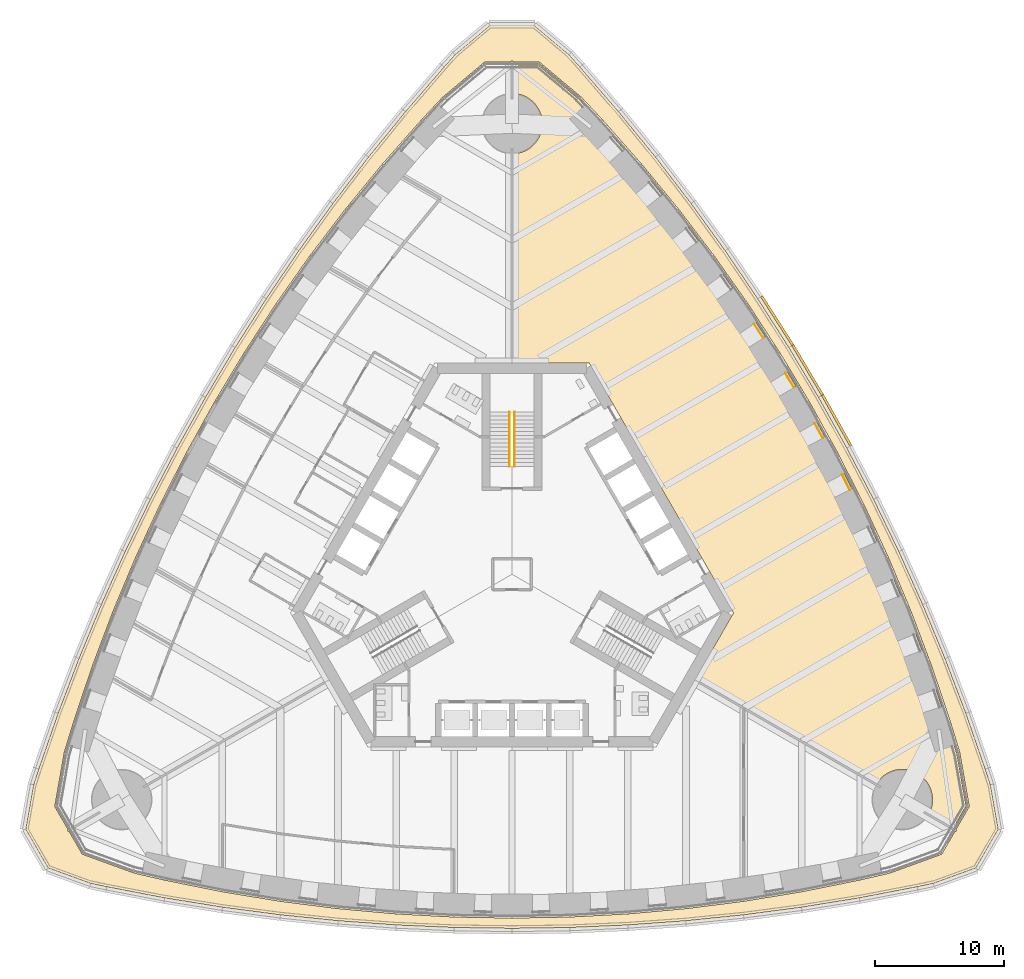
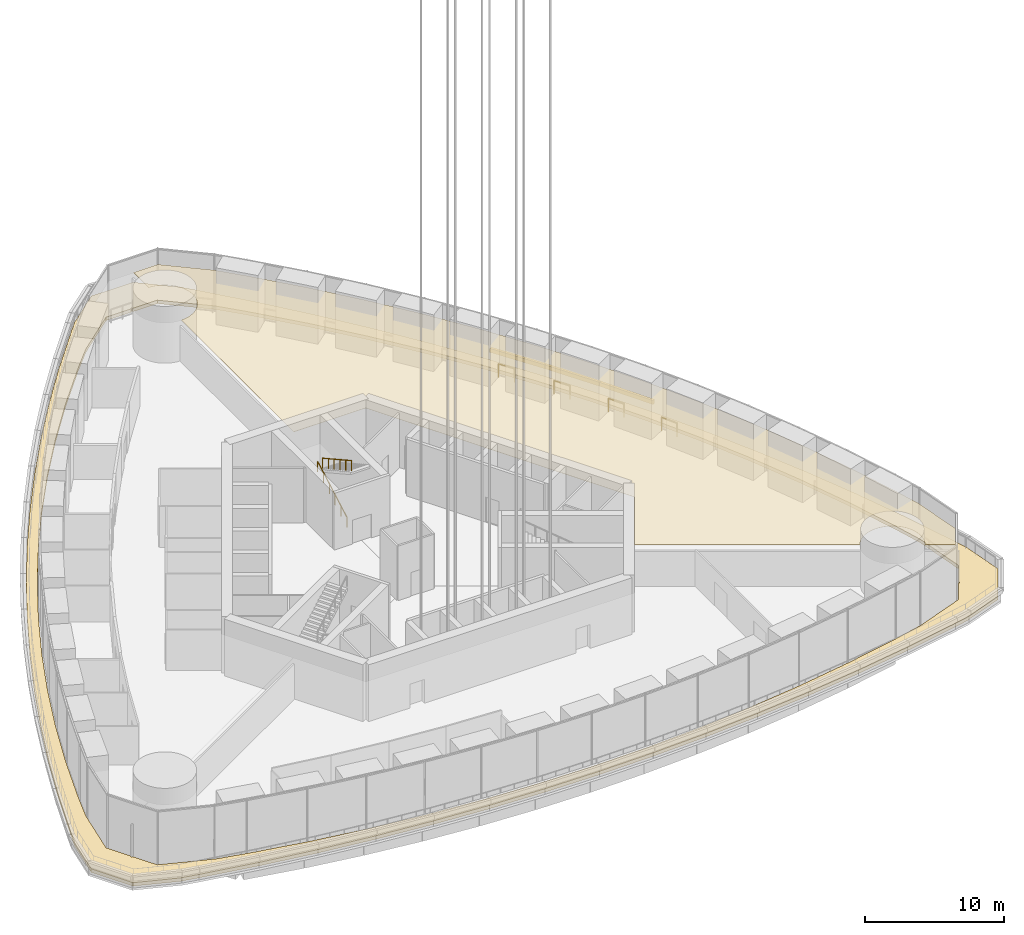
# One storey, part 22 of 33: 6 railings, 5 coverings.
"""IFC4 building model written with IfcOpenShell, lengths in metres."""

import ifcopenshell
import ifcopenshell.guid

model = None  # the IFC model being written
_history = None  # IfcOwnerHistory: only IFC2X3 demands one
_inside = {}  # id of a spatial element -> (the spatial element, [elements in it])
_under = {}  # id of a project, library or spatial element -> (it, [spatial elements below it])
_declared = {}  # id of a project -> (the project, [libraries it declares])
_typed = {}  # id of a type object -> (the type object, [elements of that type])
_made_of = {}  # id of a material, layer set ... -> (it, [elements and type objects made of it])


def new_model(schema):
    """Start an empty IFC model of exactly this schema.

    Asked for "IFC4X3", IfcOpenShell would pick the latest addendum, in which some entities
    have other attributes; the version numbers below select the first issue.
    IFC2X3 requires an IfcOwnerHistory on every rooted entity: one is made here for all.
    """
    global model, _history
    if schema == "IFC4X3":
        model = ifcopenshell.file(schema_version=(4, 3, 0, 0))
    else:
        model = ifcopenshell.file(schema=schema)
    _inside.clear()
    _under.clear()
    _declared.clear()
    _typed.clear()
    _made_of.clear()
    _history = None
    if model.schema == "IFC2X3":
        org = make("IfcOrganization", Name="unknown")
        user = make(
            "IfcPersonAndOrganization",
            ThePerson=make("IfcPerson", FamilyName="unknown"),
            TheOrganization=org,
        )
        app = make(
            "IfcApplication",
            ApplicationDeveloper=org,
            Version="unknown",
            ApplicationFullName="unknown",
            ApplicationIdentifier="unknown",
        )
        _history = make(
            "IfcOwnerHistory",
            OwningUser=user,
            OwningApplication=app,
            ChangeAction="ADDED",
            CreationDate=0,
        )
    return model


def make(cls, **values):
    """One entity of the class cls with the attributes given. An attribute that is None is left unset."""
    return model.create_entity(
        cls, **{name: value for name, value in values.items() if value is not None}
    )


def rooted(cls, **values):
    """An entity with a GlobalId (a new one), such as an element, a storey or a relation."""
    return make(cls, GlobalId=ifcopenshell.guid.new(), OwnerHistory=_history, **values)


def si_unit(unit_type, name, prefix=None):
    """IfcSIUnit, for example si_unit("LENGTHUNIT", "METRE", prefix="MILLI")."""
    return make("IfcSIUnit", UnitType=unit_type, Prefix=prefix, Name=name)


def assignment(units):
    """IfcUnitAssignment: the units of a project."""
    return None if units is None else make("IfcUnitAssignment", Units=units)


def point(xyz):
    """IfcCartesianPoint."""
    return None if xyz is None else make("IfcCartesianPoint", Coordinates=xyz)


def direction(xyz):
    """IfcDirection."""
    return None if xyz is None else make("IfcDirection", DirectionRatios=xyz)


def frame(location, z_axis=None, x_axis=None):
    """IfcAxis2Placement3D, a coordinate frame: its origin and axes. An axis left out is left unset."""
    return make(
        "IfcAxis2Placement3D",
        Location=point(location),
        Axis=direction(z_axis),
        RefDirection=direction(x_axis),
    )


def frame_2d(location, x_axis=None):
    """IfcAxis2Placement2D, a coordinate frame in the plane: its origin and x axis."""
    return make(
        "IfcAxis2Placement2D", Location=point(location), RefDirection=direction(x_axis)
    )


def origin():
    """The frame at (0, 0, 0) with its axes left unset."""
    return frame((0.0, 0.0, 0.0))


def origin_2d():
    """The frame at (0, 0) in the plane with its x axis left unset."""
    return frame_2d((0.0, 0.0))


def place(relative_to, where):
    """IfcLocalPlacement: puts the frame where relative to a parent placement (None: the world)."""
    return make(
        "IfcLocalPlacement", PlacementRelTo=relative_to, RelativePlacement=where
    )


def context(
    kind, dimensions, precision=None, world=None, true_north=None, identifier=None
):
    """IfcGeometricRepresentationContext, for example the 3D "Model" context."""
    return make(
        "IfcGeometricRepresentationContext",
        ContextIdentifier=identifier,
        ContextType=kind,
        CoordinateSpaceDimension=dimensions,
        Precision=precision,
        WorldCoordinateSystem=world,
        TrueNorth=true_north,
    )


def subcontext(parent, identifier, kind, view, scale=None):
    """IfcGeometricRepresentationSubContext, for example "Body" below "Model"."""
    return make(
        "IfcGeometricRepresentationSubContext",
        ContextIdentifier=identifier,
        ContextType=kind,
        ParentContext=parent,
        TargetScale=scale,
        TargetView=view,
    )


def project(units=None, contexts=None):
    """IfcProject with its units and contexts."""
    return rooted(
        "IfcProject",
        Name="project",
        RepresentationContexts=contexts,
        UnitsInContext=assignment(units),
    )


def spatial(cls, under=None, at=None, **own):
    """A site, building, storey or space (cls), placed at a placement, below another one or the project."""
    s = rooted(cls, ObjectPlacement=at, **own)
    if under is not None:
        _under.setdefault(under.id(), (under, []))[1].append(s)
    return s


def polyline(points):
    """IfcPolyline through the points."""
    return make("IfcPolyline", Points=[point(p) for p in points])


def profile(cls, at=None, kind="AREA", **sizes):
    """A parametric profile (cls). Its sizes go by their IFC names, for example OverallWidth=200.0."""
    return make(cls, ProfileType=kind, Position=at, **sizes)


def rectangle(**sizes):
    """IfcRectangleProfileDef."""
    return profile("IfcRectangleProfileDef", **sizes)


def circle(**sizes):
    """IfcCircleProfileDef."""
    return profile("IfcCircleProfileDef", **sizes)


def outline(outer, holes=None, kind="AREA"):
    """IfcArbitraryClosedProfileDef: a profile drawn as a closed curve; with holes, ...WithVoids."""
    if holes is None:
        return make("IfcArbitraryClosedProfileDef", ProfileType=kind, OuterCurve=outer)
    return make(
        "IfcArbitraryProfileDefWithVoids",
        ProfileType=kind,
        OuterCurve=outer,
        InnerCurves=holes,
    )


def extrude(swept, where, along, depth):
    """IfcExtrudedAreaSolid: the profile swept, set in the frame where, extruded along a direction by depth."""
    return make(
        "IfcExtrudedAreaSolid",
        SweptArea=swept,
        Position=where,
        ExtrudedDirection=direction(along),
        Depth=depth,
    )


def shape(context_of_items, identifier, shape_type, items):
    """IfcShapeRepresentation: the items that make up one representation, for example the "Body"."""
    return make(
        "IfcShapeRepresentation",
        ContextOfItems=context_of_items,
        RepresentationIdentifier=identifier,
        RepresentationType=shape_type,
        Items=items,
    )


def material(Name=None, Category=None):
    """IfcMaterial."""
    return make("IfcMaterial", Name=Name, Category=Category)


def layer(
    of_material, thickness, ventilated=None, Name=None, Category=None, Priority=None
):
    """IfcMaterialLayer: one layer of a wall or slab, of a material (None: an air gap)."""
    return make(
        "IfcMaterialLayer",
        Material=of_material,
        LayerThickness=thickness,
        IsVentilated=ventilated,
        Name=Name,
        Category=Category,
        Priority=Priority,
    )


def layer_set(layers, Name=None):
    """IfcMaterialLayerSet."""
    return make("IfcMaterialLayerSet", MaterialLayers=layers, LayerSetName=Name)


def made_of(thing, what):
    """Note that an element or type object is made of a material, layer set ...; save() writes the relation."""
    if what is not None:
        _made_of.setdefault(what.id(), (what, []))[1].append(thing)
    return thing


def type_object(cls, material=None, **own):
    """A type object (cls), such as IfcWallType, which elements share."""
    return made_of(rooted(cls, **own), material)


def element(
    cls,
    number,
    at=None,
    inside=None,
    cuts=None,
    type_object=None,
    material=None,
    context=None,
    identifier="Body",
    shape_type=None,
    held_by="IfcProductDefinitionShape",
    body=None,
    shapes=None,
    **own,
):
    """One element of the class cls, such as IfcWall. Its Tag is "e" and its number.

    at: its placement. inside: the storey or other place that contains it. cuts: it is an
    opening in that element (IfcRelVoidsElement). A single representation is given by context,
    identifier, shape_type and body (its items); several are given by shapes. held_by: the class
    of the entity that holds the representations. save() writes the other relations.
    """
    e = rooted(cls, Tag="e%d" % number, ObjectPlacement=at, **own)
    if body is not None:
        shapes = [shape(context, identifier, shape_type, body)]
    if shapes is not None:
        e.Representation = make(held_by, Representations=shapes)
    if inside is not None:
        _inside.setdefault(inside.id(), (inside, []))[1].append(e)
    if cuts is not None:
        rooted(
            "IfcRelVoidsElement", RelatingBuildingElement=cuts, RelatedOpeningElement=e
        )
    if type_object is not None:
        _typed.setdefault(type_object.id(), (type_object, []))[1].append(e)
    return made_of(e, material)


def aggregate(whole, parts):
    """IfcRelAggregates: a whole, such as a stair, and the parts it consists of."""
    return rooted("IfcRelAggregates", RelatingObject=whole, RelatedObjects=parts)


def save(model, path):
    """Write the relations noted so far, then the file.

    IfcRelAggregates (storeys below a building ...), IfcRelContainedInSpatialStructure (elements
    in a storey), IfcRelDefinesByType, IfcRelAssociatesMaterial and IfcRelDeclares: one each for
    every whole, place, type object, material and project.
    """
    for whole, parts in _under.values():
        aggregate(whole, parts)
    for where, things in _inside.values():
        rooted(
            "IfcRelContainedInSpatialStructure",
            RelatedElements=things,
            RelatingStructure=where,
        )
    for kind, things in _typed.values():
        rooted("IfcRelDefinesByType", RelatedObjects=things, RelatingType=kind)
    for what, things in _made_of.values():
        rooted("IfcRelAssociatesMaterial", RelatedObjects=things, RelatingMaterial=what)
    for by, libraries in _declared.values():
        rooted("IfcRelDeclares", RelatingContext=by, RelatedDefinitions=libraries)
    model.write(path)


model = new_model("IFC4")

# Units and contexts
model_context = context("Model", 3, precision=1e-05, world=origin(), true_north=direction((0.0, 1.0)))
body_context = subcontext(model_context, "Body", "Model", "MODEL_VIEW")
ifc_project = project(units=[si_unit("LENGTHUNIT", "METRE"), si_unit("AREAUNIT", "SQUARE_METRE"), si_unit("VOLUMEUNIT", "CUBIC_METRE"), si_unit("PLANEANGLEUNIT", "RADIAN"), si_unit("MASSUNIT", "GRAM", prefix="KILO")], contexts=[model_context])

# Site, building, storey
site_placement = place(None, origin())
site = spatial("IfcSite", under=ifc_project, at=site_placement, CompositionType="ELEMENT")
building_placement = place(site_placement, origin())
building = spatial("IfcBuilding", under=site, at=building_placement, Name="Trefoil Bronze Tower", CompositionType="ELEMENT")
storey_placement = place(building_placement, frame((0.0, 0.0, 98.10009765625)))
storey = spatial("IfcBuildingStorey", under=building, at=storey_placement, Name="L22", CompositionType="ELEMENT", Elevation=98.10009765625)

# Covering
ifc_material_1 = material(Name="Bronze metal ceiling panels", Category="metal")
ifc_layer_1 = layer(ifc_material_1, 0.02001953125)
ifc_layer_set_1 = layer_set([ifc_layer_1], Name="Feature ceiling 20")
covering_type_1 = type_object("IfcCoveringType", Name="Feature ceiling 20", PredefinedType="CEILING", material=ifc_layer_set_1)
covering_1_placement = place(storey_placement, frame((0.0, 0.0, 3.599853515625)))
element("IfcCovering", 1, at=covering_1_placement, inside=storey, type_object=covering_type_1, Name="Ceiling L22-018", PredefinedType="CEILING", context=body_context, shape_type="SweptSolid", body=[
    extrude(outline(polyline([(6.847900390625, 35.130615234375), (9.885986328125, 31.6884765625), (12.776611328125, 28.1611328125), (15.522216796875, 24.55029296875), (18.124755859375, 20.856689453125), (20.585693359375, 17.081298828125), (22.906005859375, 13.224853515625), (25.085693359375, 9.287109375), (27.124755859375, 5.268310546875), (29.022216796875, 1.16748046875), (30.776611328125, -3.015625), (32.385986328125, -7.28271484375), (33.847900390625, -11.634765625), (34.5537109375, -13.94970703125), (35.2666015625, -17.99169921875), (34.247802734375, -19.755859375), (32.352294921875, -18.66259765625), (32.38330078125, -18.60791015625), (32.435302734375, -18.5048828125), (32.48193359375, -18.3994140625), (32.5234375, -18.291748046875), (32.559814453125, -18.18212890625), (32.590576171875, -18.071044921875), (32.61572265625, -17.95849609375), (32.635498046875, -17.8447265625), (32.649658203125, -17.730224609375), (32.658203125, -17.615234375), (32.660888671875, -17.5), (32.658203125, -17.384765625), (32.649658203125, -17.269775390625), (32.635498046875, -17.1552734375), (32.61572265625, -17.04150390625), (32.590576171875, -16.928955078125), (32.559814453125, -16.81787109375), (32.5234375, -16.708251953125), (32.48193359375, -16.6005859375), (32.435302734375, -16.4951171875), (32.38330078125, -16.39208984375), (32.32666015625, -16.2919921875), (32.264892578125, -16.1943359375), (32.198486328125, -16.10009765625), (32.12744140625, -16.00927734375), (32.052001953125, -15.921875), (31.97265625, -15.83837890625), (31.88916015625, -15.7587890625), (31.8017578125, -15.683349609375), (31.710693359375, -15.612548828125), (31.616455078125, -15.5458984375), (31.51904296875, -15.484375), (31.418701171875, -15.427490234375), (31.315673828125, -15.37548828125), (31.210205078125, -15.328857421875), (31.1025390625, -15.287353515625), (30.9931640625, -15.251220703125), (30.8818359375, -15.220458984375), (30.769287109375, -15.1953125), (30.65576171875, -15.17529296875), (30.541259765625, -15.161376953125), (30.42626953125, -15.15283203125), (30.310791015625, -15.14990234375), (30.195556640625, -15.15283203125), (30.08056640625, -15.161376953125), (29.966064453125, -15.17529296875), (29.852294921875, -15.1953125), (29.739990234375, -15.220458984375), (29.628662109375, -15.251220703125), (29.519287109375, -15.287353515625), (29.41162109375, -15.328857421875), (29.30615234375, -15.37548828125), (29.203125, -15.427490234375), (29.102783203125, -15.484375), (29.00537109375, -15.5458984375), (28.910888671875, -15.612548828125), (28.820068359375, -15.683349609375), (28.732666015625, -15.7587890625), (28.649169921875, -15.83837890625), (28.569580078125, -15.921875), (28.494384765625, -16.00927734375), (28.42333984375, -16.10009765625), (28.35693359375, -16.1943359375), (28.295166015625, -16.2919921875), (28.2822265625, -16.314697265625), (14.205810546875, -8.194580078125), (17.205078125, -3.0), (6.00439453125, 16.39990234375), (0.006103515625, 16.39990234375), (0.01220703125, 32.650390625), (0.115234375, 32.65283203125), (0.230224609375, 32.661376953125), (0.3447265625, 32.67529296875), (0.45849609375, 32.6953125), (0.571044921875, 32.720458984375), (0.68212890625, 32.751220703125), (0.791748046875, 32.787353515625), (0.8994140625, 32.828857421875), (1.0048828125, 32.87548828125), (1.10791015625, 32.927490234375), (1.2080078125, 32.984375), (1.3056640625, 33.0458984375), (1.39990234375, 33.112548828125), (1.49072265625, 33.183349609375), (1.578125, 33.2587890625), (1.66162109375, 33.33837890625), (1.7412109375, 33.421875), (1.816650390625, 33.50927734375), (1.887451171875, 33.60009765625), (1.9541015625, 33.6943359375), (2.015625, 33.7919921875), (2.072509765625, 33.89208984375), (2.12451171875, 33.9951171875), (2.171142578125, 34.1005859375), (2.212646484375, 34.208251953125), (2.248779296875, 34.31787109375), (2.279541015625, 34.428955078125), (2.3046875, 34.54150390625), (2.32470703125, 34.6552734375), (2.338623046875, 34.769775390625), (2.34716796875, 34.884765625), (2.35009765625, 35.0), (2.34716796875, 35.115234375), (2.338623046875, 35.230224609375), (2.32470703125, 35.3447265625), (2.3046875, 35.45849609375), (2.279541015625, 35.571044921875), (2.248779296875, 35.68212890625), (2.212646484375, 35.791748046875), (2.171142578125, 35.8994140625), (2.12451171875, 36.0048828125), (2.072509765625, 36.10791015625), (2.015625, 36.2080078125), (1.9541015625, 36.3056640625), (1.887451171875, 36.39990234375), (1.816650390625, 36.49072265625), (1.7412109375, 36.578125), (1.66162109375, 36.66162109375), (1.578125, 36.7412109375), (1.49072265625, 36.816650390625), (1.39990234375, 36.887451171875), (1.3056640625, 36.9541015625), (1.2080078125, 37.015625), (1.10791015625, 37.072509765625), (1.0048828125, 37.12451171875), (0.8994140625, 37.171142578125), (0.791748046875, 37.212646484375), (0.68212890625, 37.248779296875), (0.571044921875, 37.279541015625), (0.45849609375, 37.3046875), (0.3447265625, 37.32470703125), (0.230224609375, 37.338623046875), (0.115234375, 37.34716796875), (0.013916015625, 37.349609375), (0.014892578125, 39.53759765625), (2.052001953125, 39.53759765625), (5.1962890625, 36.8994140625), (6.847900390625, 35.130615234375)])), origin(), (0.0, 0.0, 1.0), 0.02001953125),
])

# Railings
ifc_material_2 = material(Name="Bronze-finish steel guard rail and posts", Category="steel")
railing_type_1 = type_object("IfcRailingType", Name="Glazing guard 1200", PredefinedType="GUARDRAIL", material=ifc_material_2)
railing_1_placement = place(storey_placement, frame((26.247314453125, 6.556640625, 0.0)))
element("IfcRailing", 2, at=railing_1_placement, inside=storey, type_object=railing_type_1, Name="Glazing guard L22.24", PredefinedType="GUARDRAIL", context=body_context, shape_type="SweptSolid", body=[
    extrude(circle(Radius=0.02392578125, at=origin_2d()), frame((0.0, 0.0, 1.17578125), z_axis=(-0.452501179772, 0.891763804101, 0.0), x_axis=(-0.891763804101, -0.452501179772, 0.0)), (0.0, 0.0, 1.0), 1.327880859375),
    extrude(circle(Radius=0.02099609375, at=origin_2d()), origin(), (0.0, 0.0, 1.0), 1.15185546875),
    extrude(circle(Radius=0.02099609375, at=origin_2d()), frame((-0.600830078125, 1.18408203125, 0.0)), (0.0, 0.0, 1.0), 1.15185546875),
])
railing_2_placement = place(storey_placement, frame((24.148193359375, 10.568359375, 0.0)))
element("IfcRailing", 3, at=railing_2_placement, inside=storey, type_object=railing_type_1, Name="Glazing guard L22.25", PredefinedType="GUARDRAIL", context=body_context, shape_type="SweptSolid", body=[
    extrude(circle(Radius=0.02392578125, at=origin_2d()), frame((0.0, 0.0, 1.17578125), z_axis=(-0.484419376956, 0.874835908745, 0.0), x_axis=(-0.874835908745, -0.484419376956, 0.0)), (0.0, 0.0, 1.0), 1.322021484375),
    extrude(circle(Radius=0.02099609375, at=origin_2d()), origin(), (0.0, 0.0, 1.0), 1.15185546875),
    extrude(circle(Radius=0.02099609375, at=origin_2d()), frame((-0.640380859375, 1.156494140625, 0.0)), (0.0, 0.0, 1.0), 1.15185546875),
])
railing_3_placement = place(storey_placement, frame((21.907958984375, 14.49609375, 0.0)))
element("IfcRailing", 4, at=railing_3_placement, inside=storey, type_object=railing_type_1, Name="Glazing guard L22.26", PredefinedType="GUARDRAIL", context=body_context, shape_type="SweptSolid", body=[
    extrude(circle(Radius=0.02392578125, at=origin_2d()), frame((0.0, 0.0, 1.17578125), z_axis=(-0.515527589576, 0.85687298031, 0.0), x_axis=(-0.85687298031, -0.515527589576, 0.0)), (0.0, 0.0, 1.0), 1.32177734375),
    extrude(circle(Radius=0.02099609375, at=origin_2d()), origin(), (0.0, 0.0, 1.0), 1.15185546875),
    extrude(circle(Radius=0.02099609375, at=origin_2d()), frame((-0.681396484375, 1.132568359375, 0.0)), (0.0, 0.0, 1.0), 1.15185546875),
])
railing_4_placement = place(storey_placement, frame((19.52685546875, 18.340087890625, 0.0)))
element("IfcRailing", 5, at=railing_4_placement, inside=storey, type_object=railing_type_1, Name="Glazing guard L22.27", PredefinedType="GUARDRAIL", context=body_context, shape_type="SweptSolid", body=[
    extrude(circle(Radius=0.02392578125, at=origin_2d()), frame((0.0, 0.0, 1.17578125), z_axis=(-0.5460995048, 0.837720317801, 0.0), x_axis=(-0.837720317801, -0.5460995048, 0.0)), (0.0, 0.0, 1.0), 1.327880859375),
    extrude(circle(Radius=0.02099609375, at=origin_2d()), origin(), (0.0, 0.0, 1.0), 1.15185546875),
    extrude(circle(Radius=0.02099609375, at=origin_2d()), frame((-0.72509765625, 1.1123046875, 0.0)), (0.0, 0.0, 1.0), 1.15185546875),
])
ifc_material_3 = material(Name="Steel handrail", Category="steel")
railing_type_2 = type_object("IfcRailingType", Name="Handrail 900", PredefinedType="HANDRAIL", material=ifc_material_3)
railing_5_placement = place(storey_placement, frame((-0.199951171875, 8.389892578125, 0.16650390625)))
element("IfcRailing", 6, at=railing_5_placement, inside=storey, type_object=railing_type_2, Name="Handrail ST2 flight 1 L22", PredefinedType="HANDRAIL", context=body_context, shape_type="SweptSolid", body=[
    extrude(circle(Radius=0.02392578125, at=origin_2d()), frame((0.0, 0.0, 0.8759765625), z_axis=(0.0, 0.874152482588, 0.485651559438), x_axis=(-1.0, 0.0, 0.0)), (0.0, 0.0, 1.0), 4.804931640625),
    extrude(circle(Radius=0.02099609375, at=origin_2d()), origin(), (0.0, 0.0, 1.0), 0.851806640625),
    extrude(circle(Radius=0.02099609375, at=origin_2d()), frame((0.0, 0.840087890625, 0.466796875)), (0.0, 0.0, 1.0), 0.851806640625),
    extrude(circle(Radius=0.02099609375, at=origin_2d()), frame((0.0, 1.68017578125, 0.933349609375)), (0.0, 0.0, 1.0), 0.851806640625),
    extrude(circle(Radius=0.02099609375, at=origin_2d()), frame((0.0, 2.52001953125, 1.400146484375)), (0.0, 0.0, 1.0), 0.851806640625),
    extrude(circle(Radius=0.02099609375, at=origin_2d()), frame((0.0, 3.360107421875, 1.86669921875)), (0.0, 0.0, 1.0), 0.851806640625),
    extrude(circle(Radius=0.02099609375, at=origin_2d()), frame((0.0, 4.2001953125, 2.33349609375)), (0.0, 0.0, 1.0), 0.851806640625),
])
railing_6_placement = place(storey_placement, frame((0.199951171875, 12.590087890625, 2.66650390625)))
element("IfcRailing", 7, at=railing_6_placement, inside=storey, type_object=railing_type_2, Name="Handrail ST2 flight 2 L22", PredefinedType="HANDRAIL", context=body_context, shape_type="SweptSolid", body=[
    extrude(circle(Radius=0.02392578125, at=origin_2d()), frame((0.0, 0.0, 0.8759765625), z_axis=(0.0, -0.874152482588, 0.485651559438), x_axis=(1.0, 0.0, 0.0)), (0.0, 0.0, 1.0), 4.804931640625),
    extrude(circle(Radius=0.02099609375, at=origin_2d()), origin(), (0.0, 0.0, 1.0), 0.851806640625),
    extrude(circle(Radius=0.02099609375, at=origin_2d()), frame((0.0, -0.840087890625, 0.466796875)), (0.0, 0.0, 1.0), 0.851806640625),
    extrude(circle(Radius=0.02099609375, at=origin_2d()), frame((0.0, -1.68017578125, 0.933349609375)), (0.0, 0.0, 1.0), 0.851806640625),
    extrude(circle(Radius=0.02099609375, at=origin_2d()), frame((0.0, -2.52001953125, 1.400146484375)), (0.0, 0.0, 1.0), 0.851806640625),
    extrude(circle(Radius=0.02099609375, at=origin_2d()), frame((0.0, -3.360107421875, 1.86669921875)), (0.0, 0.0, 1.0), 0.851806640625),
    extrude(circle(Radius=0.02099609375, at=origin_2d()), frame((0.0, -4.2001953125, 2.33349609375)), (0.0, 0.0, 1.0), 0.851806640625),
])

# Coverings
ifc_material_4 = material(Name="Stepped bronze-finish aluminium cornice", Category="aluminium")
covering_type_2 = type_object("IfcCoveringType", Name="Setback cornice 350x200", PredefinedType="MOLDING", material=ifc_material_4)
for number, where, z_axis, x_axis, name in (
    (8, (25.216064453125, 11.95654296875, 0.749755859375), (0.0, 0.0, 1.0), (-0.487381940377, 0.873188893765, 0.0), "Setback cornice L22.26"),
    (9, (22.962646484375, 15.859375, 0.749755859375), (0.0, 0.0, 1.0), (-0.512512794114, 0.858679588595, 0.0), "Setback cornice L22.27"),
):
    element("IfcCovering", number, at=place(storey_placement, frame(where, z_axis=z_axis, x_axis=x_axis)), inside=storey, type_object=covering_type_2, Name=name, PredefinedType="MOLDING", context=body_context, shape_type="SweptSolid", body=[
        extrude(rectangle(XDim=4.50048828125, YDim=0.199951171875, at=origin_2d()), origin(), (0.0, 0.0, 1.0), 0.35009765625),
    ])
covering_2_placement = place(storey_placement, frame((20.59619140625, 19.69677734375, 0.749755859375), z_axis=(0.0, 0.0, 1.0), x_axis=(-0.537222392307, 0.843440632886, 0.0)))
element("IfcCovering", 10, at=covering_2_placement, inside=storey, type_object=covering_type_2, Name="Setback cornice L22.28", PredefinedType="MOLDING", context=body_context, shape_type="SweptSolid", body=[
    extrude(rectangle(XDim=4.504150390625, YDim=0.199951171875, at=origin_2d()), origin(), (0.0, 0.0, 1.0), 0.35009765625),
])
ifc_material_5 = material(Name="Inverted roof: bitumen membrane, 200 extruded polystyrene, concrete paving slabs", Category="concrete")
ifc_layer_2 = layer(ifc_material_5, 0.300048828125)
ifc_layer_set_2 = layer_set([ifc_layer_2], Name="Setback roof build-up 300")
covering_type_3 = type_object("IfcCoveringType", Name="Setback roof build-up 300", PredefinedType="ROOFING", material=ifc_layer_set_2)
covering_3_placement = place(storey_placement, origin())
element("IfcCovering", 11, at=covering_3_placement, inside=storey, type_object=covering_type_3, Name="Setback roof build-up L22 maintenance access only", PredefinedType="ROOFING", context=body_context, shape_type="SweptSolid", body=[
    extrude(outline(polyline([(31.5, -24.26611328125), (27.0, -25.13037109375), (22.5, -25.85791015625), (18.0, -26.45068359375), (13.5, -26.909912109375), (9.0, -27.2373046875), (4.5, -27.433349609375), (0.0, -27.498779296875), (-4.5, -27.433349609375), (-9.0, -27.2373046875), (-13.5, -26.909912109375), (-18.0, -26.45068359375), (-22.5, -25.85791015625), (-27.0, -25.13037109375), (-31.5, -24.26611328125), (-32.762451171875, -23.998779296875), (-36.02978515625, -22.809326171875), (-37.7685546875, -19.798095703125), (-37.164794921875, -16.373779296875), (-36.76513671875, -15.146728515625), (-35.263427734375, -10.8173828125), (-33.6435546875, -6.556640625), (-31.906982421875, -2.363037109375), (-30.0546875, 1.763671875), (-28.088134765625, 5.824462890625), (-26.008056640625, 9.819580078125), (-23.814697265625, 13.749267578125), (-21.508056640625, 17.61376953125), (-19.088134765625, 21.412841796875), (-16.5546875, 25.146240234375), (-13.906982421875, 28.813720703125), (-11.1435546875, 32.41455078125), (-8.263427734375, 35.94775390625), (-5.26513671875, 39.412841796875), (-4.40234375, 40.372314453125), (-1.738525390625, 42.607421875), (1.738525390625, 42.607421875), (4.40234375, 40.372314453125), (5.26513671875, 39.412841796875), (8.263427734375, 35.94775390625), (11.1435546875, 32.41455078125), (13.906982421875, 28.813720703125), (16.5546875, 25.146240234375), (19.088134765625, 21.412841796875), (21.508056640625, 17.61376953125), (23.814697265625, 13.749267578125), (26.008056640625, 9.819580078125), (28.088134765625, 5.824462890625), (30.0546875, 1.763671875), (31.906982421875, -2.363037109375), (33.6435546875, -6.556640625), (35.263427734375, -10.8173828125), (36.76513671875, -15.146728515625), (37.164794921875, -16.373779296875), (37.7685546875, -19.798095703125), (36.02978515625, -22.809326171875), (32.762451171875, -23.998779296875), (31.5, -24.26611328125)]), holes=[polyline([(-20.80224609375, 17.206298828125), (-23.12255859375, 13.349853515625), (-25.30224609375, 9.412109375), (-27.34130859375, 5.393310546875), (-29.23876953125, 1.29248046875), (-30.9931640625, -2.890625), (-32.6025390625, -7.15771484375), (-34.064453125, -11.509765625), (-34.770263671875, -13.82470703125), (-35.5126953125, -18.034912109375), (-34.4814453125, -19.8212890625), (-34.548095703125, -19.859619140625), (-34.47314453125, -19.98974609375), (-34.406494140625, -19.951171875), (-33.375, -21.737548828125), (-29.357666015625, -23.19970703125), (-27.0, -23.745849609375), (-22.5, -24.656005859375), (-18.0, -25.3955078125), (-13.5, -25.9677734375), (-9.0, -26.375), (-4.5, -26.61865234375), (0.0, -26.69970703125), (4.5, -26.61865234375), (9.0, -26.375), (13.5, -25.9677734375), (18.0, -25.3955078125), (22.5, -24.656005859375), (27.0, -23.745849609375), (29.357666015625, -23.19970703125), (33.375, -21.737548828125), (34.406494140625, -19.951171875), (34.47314453125, -19.98974609375), (34.548095703125, -19.859619140625), (34.4814453125, -19.8212890625), (35.5126953125, -18.034912109375), (34.770263671875, -13.82470703125), (34.064453125, -11.509765625), (32.6025390625, -7.15771484375), (30.9931640625, -2.890625), (29.23876953125, 1.29248046875), (27.34130859375, 5.393310546875), (25.30224609375, 9.412109375), (23.12255859375, 13.349853515625), (20.80224609375, 17.206298828125), (18.34130859375, 20.981689453125), (15.73876953125, 24.67529296875), (12.9931640625, 28.2861328125), (10.1025390625, 31.8134765625), (7.064453125, 35.255615234375), (5.41259765625, 37.0244140625), (2.1376953125, 39.7724609375), (0.074951171875, 39.7724609375), (0.074951171875, 39.849365234375), (-0.074951171875, 39.849365234375), (-0.074951171875, 39.7724609375), (-2.1376953125, 39.7724609375), (-5.41259765625, 37.0244140625), (-7.064453125, 35.255615234375), (-10.1025390625, 31.8134765625), (-12.9931640625, 28.2861328125), (-15.73876953125, 24.67529296875), (-18.34130859375, 20.981689453125), (-20.80224609375, 17.206298828125)])]), origin(), (0.0, 0.0, 1.0), 0.2998046875),
])

save(model, "model.ifc")
